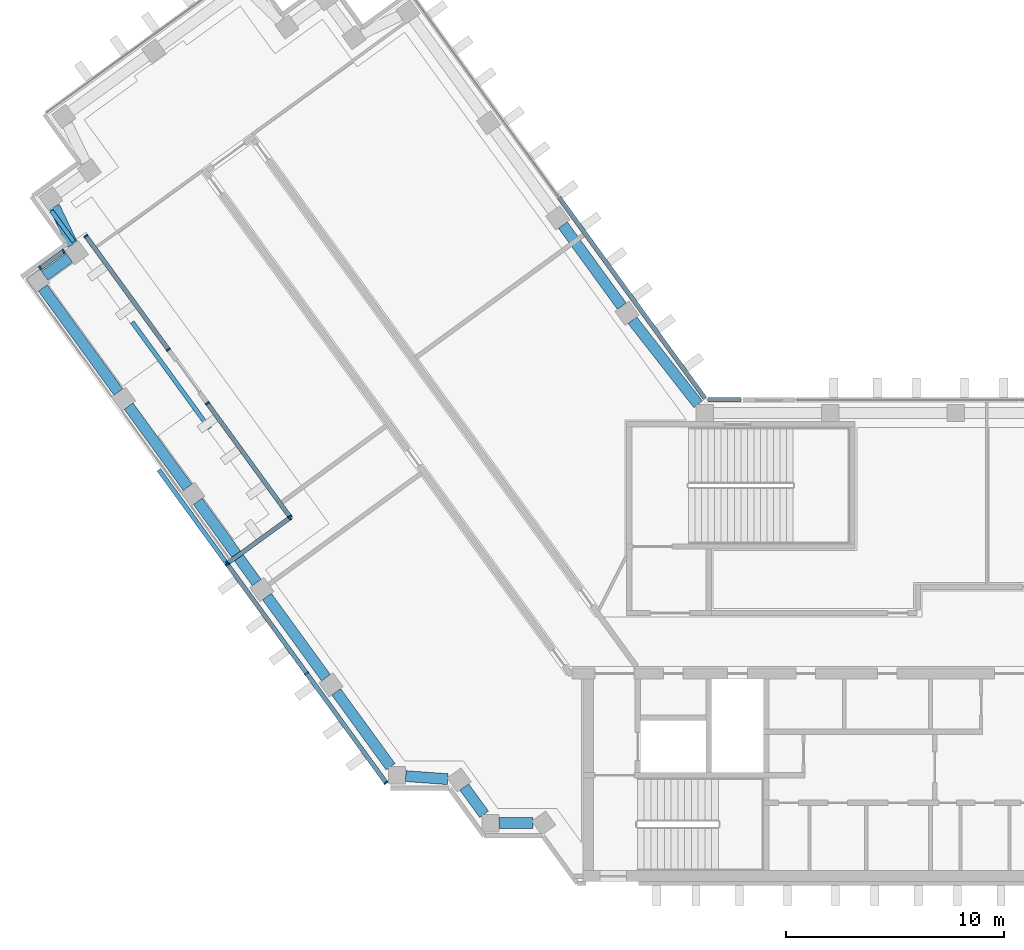
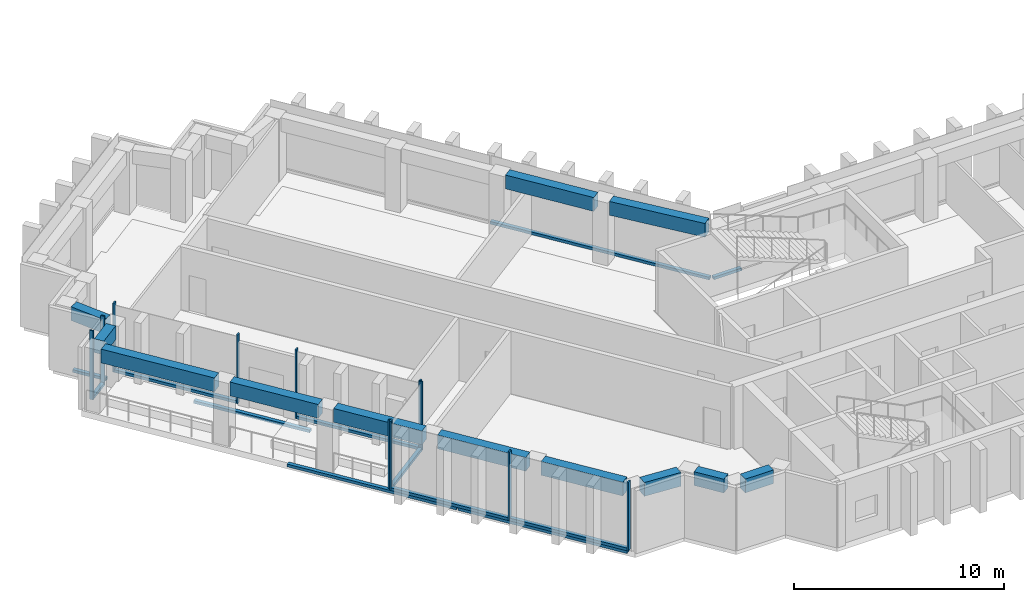
"""IFC4 building model written with IfcOpenShell, lengths in metres."""

from ifc_helpers import new_model, si_unit, direction, frame, origin, origin_2d, place, context, subcontext, project, spatial, rectangle, extrude, material, material_profile, profile_set, type_object, element, aggregate, save


model = new_model("IFC4")

# Units and contexts
model_context = context("Model", 3, precision=1e-05, world=origin(), true_north=direction((0.0, 1.0)))
body_context = subcontext(model_context, "Body", "Model", "MODEL_VIEW")
ifc_project = project(units=[si_unit("LENGTHUNIT", "METRE"), si_unit("AREAUNIT", "SQUARE_METRE"), si_unit("VOLUMEUNIT", "CUBIC_METRE"), si_unit("PLANEANGLEUNIT", "RADIAN"), si_unit("MASSUNIT", "GRAM", prefix="KILO")], contexts=[model_context])

# Site, building, storey
site_placement = place(None, origin())
site = spatial("IfcSite", under=ifc_project, at=site_placement, CompositionType="ELEMENT")
building_placement = place(site_placement, origin())
building = spatial("IfcBuilding", under=site, at=building_placement, Name="Quipu Civic Tower", CompositionType="ELEMENT")
storey_1_placement = place(building_placement, frame((0.0, 0.0, 152.0)))
storey_1 = spatial("IfcBuildingStorey", under=building, at=storey_1_placement, Name="L35", CompositionType="ELEMENT", Elevation=152.0)

# Curtain wall, members
ifc_material_1 = material(Name="Insulated glass unit", Category="glass")
curtain_wall_type = type_object("IfcCurtainWallType", Name="Office curtain wall CW1", PredefinedType="NOTDEFINED", material=ifc_material_1)
curtain_wall_1_placement = place(storey_1_placement, origin())
curtain_wall_1 = element("IfcCurtainWall", 1, at=curtain_wall_1_placement, inside=storey_1, type_object=curtain_wall_type, Name="Office curtain wall CW1 L35 run 1", PredefinedType="NOTDEFINED")
ifc_material_2 = material(Name="Anodised aluminium", Category="aluminium")
ifc_material_profile_1 = material_profile(ifc_material_2, rectangle(XDim=0.199951171875, YDim=0.080078125, at=origin_2d()), Name="RECT 200x80")
ifc_profile_set_1 = profile_set([ifc_material_profile_1], Name="Anodised aluminium")
member_type_1 = type_object("IfcMemberType", Name="Mullion CW1", PredefinedType="MULLION", material=ifc_profile_set_1)
member_1_placement = place(storey_1_placement, frame((-44.890380859375, 17.143798828125, 0.080078125), z_axis=(0.0, 0.0, 1.0), x_axis=(-0.5878531601, 0.80896765211, 0.0)))
member_1 = element("IfcMember", 2, at=member_1_placement, type_object=member_type_1, Name="CW1 mullion 1", PredefinedType="MULLION", context=body_context, shape_type="SweptSolid", body=[
    extrude(rectangle(XDim=0.199951171875, YDim=0.080078125, at=origin_2d()), origin(), (0.0, 0.0, 1.0), 4.0),
])
member_2_placement = place(storey_1_placement, frame((-43.822265625, 17.919921875, 0.080078125), z_axis=(0.0, 0.0, 1.0), x_axis=(-0.5878531601, 0.80896765211, 0.0)))
member_2 = element("IfcMember", 3, at=member_2_placement, type_object=member_type_1, Name="CW1 mullion 2", PredefinedType="MULLION", context=body_context, shape_type="SweptSolid", body=[
    extrude(rectangle(XDim=0.199951171875, YDim=0.080078125, at=origin_2d()), origin(), (0.0, 0.0, 1.0), 4.0),
])

curtain_wall_2_placement = place(storey_1_placement, origin())
curtain_wall_2 = element("IfcCurtainWall", 4, at=curtain_wall_2_placement, inside=storey_1, type_object=curtain_wall_type, Name="Office curtain wall CW1 L35 run 3", PredefinedType="NOTDEFINED")
member_3_placement = place(storey_1_placement, frame((-42.7958984375, 18.6162109375, 0.080078125), z_axis=(0.0, 0.0, 1.0), x_axis=(0.8090179163, 0.587783983369, 0.0)))
member_3 = element("IfcMember", 5, at=member_3_placement, type_object=member_type_1, Name="CW1 mullion 1", PredefinedType="MULLION", context=body_context, shape_type="SweptSolid", body=[
    extrude(rectangle(XDim=0.199951171875, YDim=0.080078125, at=origin_2d()), origin(), (0.0, 0.0, 1.0), 4.0),
])
member_4_placement = place(storey_1_placement, frame((-39.01123046875, 13.406982421875, 0.080078125), z_axis=(0.0, 0.0, 1.0), x_axis=(0.8090179163, 0.587783983369, 0.0)))
member_4 = element("IfcMember", 6, at=member_4_placement, type_object=member_type_1, Name="CW1 mullion 2", PredefinedType="MULLION", context=body_context, shape_type="SweptSolid", body=[
    extrude(rectangle(XDim=0.199951171875, YDim=0.080078125, at=origin_2d()), origin(), (0.0, 0.0, 1.0), 4.0),
])

curtain_wall_3_placement = place(storey_1_placement, origin())
curtain_wall_3 = element("IfcCurtainWall", 7, at=curtain_wall_3_placement, inside=storey_1, type_object=curtain_wall_type, Name="Office curtain wall CW1 L35 run 5", PredefinedType="NOTDEFINED")
member_5_placement = place(storey_1_placement, frame((-37.22265625, 10.9453125, 0.080078125), z_axis=(0.0, 0.0, 1.0), x_axis=(0.809022590928, 0.587777549221, 0.0)))
member_5 = element("IfcMember", 8, at=member_5_placement, type_object=member_type_1, Name="CW1 mullion 1", PredefinedType="MULLION", context=body_context, shape_type="SweptSolid", body=[
    extrude(rectangle(XDim=0.199951171875, YDim=0.080078125, at=origin_2d()), origin(), (0.0, 0.0, 1.0), 4.0),
])
member_6_placement = place(storey_1_placement, frame((-33.4384765625, 5.736572265625, 0.080078125), z_axis=(0.0, 0.0, 1.0), x_axis=(0.809022590928, 0.587777549221, 0.0)))
member_6 = element("IfcMember", 9, at=member_6_placement, type_object=member_type_1, Name="CW1 mullion 2", PredefinedType="MULLION", context=body_context, shape_type="SweptSolid", body=[
    extrude(rectangle(XDim=0.199951171875, YDim=0.080078125, at=origin_2d()), origin(), (0.0, 0.0, 1.0), 4.0),
])

curtain_wall_4_placement = place(storey_1_placement, origin())
curtain_wall_4 = element("IfcCurtainWall", 10, at=curtain_wall_4_placement, inside=storey_1, type_object=curtain_wall_type, Name="Office curtain wall CW1 L35 run 6", PredefinedType="NOTDEFINED")
member_7_placement = place(storey_1_placement, frame((-33.447265625, 5.680908203125, 0.080078125), z_axis=(0.0, 0.0, 1.0), x_axis=(0.587788441518, -0.809014677257, 0.0)))
member_7 = element("IfcMember", 11, at=member_7_placement, type_object=member_type_1, Name="CW1 mullion 1", PredefinedType="MULLION", context=body_context, shape_type="SweptSolid", body=[
    extrude(rectangle(XDim=0.199951171875, YDim=0.080078125, at=origin_2d()), origin(), (0.0, 0.0, 1.0), 4.0),
])
member_8_placement = place(storey_1_placement, frame((-36.294921875, 3.61181640625, 0.080078125), z_axis=(0.0, 0.0, 1.0), x_axis=(0.587788441518, -0.809014677257, 0.0)))
member_8 = element("IfcMember", 12, at=member_8_placement, type_object=member_type_1, Name="CW1 mullion 2", PredefinedType="MULLION", context=body_context, shape_type="SweptSolid", body=[
    extrude(rectangle(XDim=0.199951171875, YDim=0.080078125, at=origin_2d()), origin(), (0.0, 0.0, 1.0), 4.0),
])

curtain_wall_5_placement = place(storey_1_placement, origin())
curtain_wall_5 = element("IfcCurtainWall", 13, at=curtain_wall_5_placement, inside=storey_1, type_object=curtain_wall_type, Name="Office curtain wall CW1 L35 run 7", PredefinedType="NOTDEFINED")
member_9_placement = place(storey_1_placement, frame((-36.303955078125, 3.555908203125, 0.080078125), z_axis=(0.0, 0.0, 1.0), x_axis=(0.809017542707, 0.587784497578, 0.0)))
member_9 = element("IfcMember", 14, at=member_9_placement, type_object=member_type_1, Name="CW1 mullion 1", PredefinedType="MULLION", context=body_context, shape_type="SweptSolid", body=[
    extrude(rectangle(XDim=0.199951171875, YDim=0.080078125, at=origin_2d()), origin(), (0.0, 0.0, 1.0), 4.0),
])
member_10_placement = place(storey_1_placement, frame((-32.666748046875, -1.4501953125, 0.080078125), z_axis=(0.0, 0.0, 1.0), x_axis=(0.809017542707, 0.587784497578, 0.0)))
member_10 = element("IfcMember", 15, at=member_10_placement, type_object=member_type_1, Name="CW1 mullion 2", PredefinedType="MULLION", context=body_context, shape_type="SweptSolid", body=[
    extrude(rectangle(XDim=0.199951171875, YDim=0.080078125, at=origin_2d()), origin(), (0.0, 0.0, 1.0), 4.0),
])
member_11_placement = place(storey_1_placement, frame((-29.029296875, -6.45654296875, 0.080078125), z_axis=(0.0, 0.0, 1.0), x_axis=(0.809017542707, 0.587784497578, 0.0)))
member_11 = element("IfcMember", 16, at=member_11_placement, type_object=member_type_1, Name="CW1 mullion 3", PredefinedType="MULLION", context=body_context, shape_type="SweptSolid", body=[
    extrude(rectangle(XDim=0.199951171875, YDim=0.080078125, at=origin_2d()), origin(), (0.0, 0.0, 1.0), 4.0),
])

# Beams
ifc_material_3 = material(Name="Concrete C50/60", Category="concrete")
ifc_material_profile_2 = material_profile(ifc_material_3, rectangle(XDim=0.5, YDim=0.800048828125, at=origin_2d()), Name="RC500x800")
ifc_profile_set_2 = profile_set([ifc_material_profile_2], Name="Concrete C50/60")
beam_type = type_object("IfcBeamType", Name="Spandrel beam RC 500x800 C50/60", PredefinedType="SPANDREL", material=ifc_profile_set_2)
beam_1_placement = place(storey_1_placement, frame((-18.208740234375, 15.398681640625, 3.25), z_axis=(-0.58776136044, 0.809034352283, 0.0), x_axis=(-0.809034352283, -0.58776136044, 0.0)))
element("IfcBeam", 17, at=beam_1_placement, inside=storey_1, type_object=beam_type, Name="Spandrel beam L35 W-IN-01 to W-IN-02", PredefinedType="SPANDREL", context=body_context, shape_type="SweptSolid", body=[
    extrude(rectangle(XDim=0.5, YDim=0.800048828125, at=origin_2d()), origin(), (0.0, 0.0, 1.0), 4.599853515625),
])
beam_2_placement = place(storey_1_placement, frame((-44.23974609375, 19.9677734375, 3.25), z_axis=(0.430785642718, -0.902454281406, 0.0), x_axis=(0.902454281406, 0.430785642718, 0.0)))
element("IfcBeam", 18, at=beam_2_placement, inside=storey_1, type_object=beam_type, Name="Spandrel beam L35 T-Wo.2-W34 to T-Wo.3-W34", PredefinedType="SPANDREL", context=body_context, shape_type="SweptSolid", body=[
    extrude(rectangle(XDim=0.5, YDim=0.800048828125, at=origin_2d()), origin(), (0.0, 0.0, 1.0), 1.934814453125),
])
beam_3_placement = place(storey_1_placement, frame((-43.554443359375, 17.619140625, 3.25), z_axis=(-0.808600329101, -0.588358315805, 0.0), x_axis=(0.588358315805, -0.808600329101, 0.0)))
element("IfcBeam", 19, at=beam_3_placement, inside=storey_1, type_object=beam_type, Name="Spandrel beam L35 T-Wo.3-W34 to T-Wo.4-W34", PredefinedType="SPANDREL", context=body_context, shape_type="SweptSolid", body=[
    extrude(rectangle(XDim=0.5, YDim=0.800048828125, at=origin_2d()), origin(), (0.0, 0.0, 1.0), 1.400146484375),
])
beam_4_placement = place(storey_1_placement, frame((-44.77490234375, 16.236328125, 3.25), z_axis=(0.58780026889, -0.809006083965, 0.0), x_axis=(0.809006083965, 0.58780026889, 0.0)))
element("IfcBeam", 20, at=beam_4_placement, inside=storey_1, type_object=beam_type, Name="Spandrel beam L35 T-Wo.4-W34 to W-OUT-04", PredefinedType="SPANDREL", context=body_context, shape_type="SweptSolid", body=[
    extrude(rectangle(XDim=0.5, YDim=0.800048828125, at=origin_2d()), origin(), (0.0, 0.0, 1.0), 5.902587890625),
])
beam_5_placement = place(storey_1_placement, frame((-40.835205078125, 10.81396484375, 3.25), z_axis=(0.587770861189, -0.809027449928, 0.0), x_axis=(0.809027449928, 0.587770861189, 0.0)))
element("IfcBeam", 21, at=beam_5_placement, inside=storey_1, type_object=beam_type, Name="Spandrel beam L35 W-OUT-04 to W-OUT-03", PredefinedType="SPANDREL", context=body_context, shape_type="SweptSolid", body=[
    extrude(rectangle(XDim=0.5, YDim=0.800048828125, at=origin_2d()), origin(), (0.0, 0.0, 1.0), 4.60009765625),
])
beam_6_placement = place(storey_1_placement, frame((-37.6611328125, 6.445068359375, 3.25), z_axis=(0.58776136044, -0.809034352283, 0.0), x_axis=(0.809034352283, 0.58776136044, 0.0)))
element("IfcBeam", 22, at=beam_6_placement, inside=storey_1, type_object=beam_type, Name="Spandrel beam L35 W-OUT-03 to W-OUT-02", PredefinedType="SPANDREL", context=body_context, shape_type="SweptSolid", body=[
    extrude(rectangle(XDim=0.5, YDim=0.800048828125, at=origin_2d()), origin(), (0.0, 0.0, 1.0), 4.599853515625),
])
beam_7_placement = place(storey_1_placement, frame((-34.4873046875, 2.076416015625, 3.25), z_axis=(0.587796098864, -0.809009113768, 0.0), x_axis=(0.809009113768, 0.587796098864, 0.0)))
element("IfcBeam", 23, at=beam_7_placement, inside=storey_1, type_object=beam_type, Name="Spandrel beam L35 W-OUT-02 to W-OUT-01", PredefinedType="SPANDREL", context=body_context, shape_type="SweptSolid", body=[
    extrude(rectangle(XDim=0.5, YDim=0.800048828125, at=origin_2d()), origin(), (0.0, 0.0, 1.0), 4.60009765625),
])
beam_8_placement = place(storey_1_placement, frame((-31.313232421875, -2.292236328125, 3.25), z_axis=(0.58776850526, -0.809029161541, 0.0), x_axis=(0.809029161541, 0.58776850526, 0.0)))
element("IfcBeam", 24, at=beam_8_placement, inside=storey_1, type_object=beam_type, Name="Spandrel beam L35 W-OUT-01 to J-Wo.0", PredefinedType="SPANDREL", context=body_context, shape_type="SweptSolid", body=[
    extrude(rectangle(XDim=0.5, YDim=0.800048828125, at=origin_2d()), origin(), (0.0, 0.0, 1.0), 4.249267578125),
])
beam_9_placement = place(storey_1_placement, frame((-28.125, -6.158935546875, 3.25), z_axis=(0.997370796499, -0.072467194581, 0.0), x_axis=(0.072467194581, 0.997370796499, 0.0)))
element("IfcBeam", 25, at=beam_9_placement, inside=storey_1, type_object=beam_type, Name="Spandrel beam L35 J-Wo.0 to J-Wo.1", PredefinedType="SPANDREL", context=body_context, shape_type="SweptSolid", body=[
    extrude(rectangle(XDim=0.5, YDim=0.800048828125, at=origin_2d()), origin(), (0.0, 0.0, 1.0), 1.933837890625),
])
beam_10_placement = place(storey_1_placement, frame((-25.43896484375, -6.660400390625, 3.25), z_axis=(0.588330737135, -0.808620395329, 0.0), x_axis=(0.808620395329, 0.588330737135, 0.0)))
element("IfcBeam", 26, at=beam_10_placement, inside=storey_1, type_object=beam_type, Name="Spandrel beam L35 J-Wo.1 to J-Wo.2", PredefinedType="SPANDREL", context=body_context, shape_type="SweptSolid", body=[
    extrude(rectangle(XDim=0.5, YDim=0.800048828125, at=origin_2d()), origin(), (0.0, 0.0, 1.0), 1.551513671875),
])
beam_11_placement = place(storey_1_placement, frame((-23.8349609375, -8.31494140625, 3.25), z_axis=(1.0, 0.0, 0.0), x_axis=(0.0, 1.0, 0.0)))
element("IfcBeam", 27, at=beam_11_placement, inside=storey_1, type_object=beam_type, Name="Spandrel beam L35 J-Wo.2 to J-Wo.3", PredefinedType="SPANDREL", context=body_context, shape_type="SweptSolid", body=[
    extrude(rectangle(XDim=0.5, YDim=0.800048828125, at=origin_2d()), origin(), (0.0, 0.0, 1.0), 1.548828125),
])
beam_12_placement = place(storey_1_placement, frame((-14.7080078125, 10.89990234375, 3.25), z_axis=(-0.616090612932, 0.787675286306, 0.0), x_axis=(-0.787675286306, -0.616090612932, 0.0)))
element("IfcBeam", 28, at=beam_12_placement, inside=storey_1, type_object=beam_type, Name="Spandrel beam L35 J-Wi.0 to W-IN-01", PredefinedType="SPANDREL", context=body_context, shape_type="SweptSolid", body=[
    extrude(rectangle(XDim=0.5, YDim=0.800048828125, at=origin_2d()), origin(), (0.0, 0.0, 1.0), 4.900390625),
])

# Storey
storey_2_placement = place(building_placement, frame((0.0, 0.0, 148.0)))
storey_2 = spatial("IfcBuildingStorey", under=building, at=storey_2_placement, Name="L34", CompositionType="ELEMENT", Elevation=148.0)

# Curtain wall, member
curtain_wall_6_placement = place(storey_2_placement, origin())
curtain_wall_6 = element("IfcCurtainWall", 29, at=curtain_wall_6_placement, inside=storey_2, type_object=curtain_wall_type, Name="Office curtain wall CW1 L34 run 2", PredefinedType="NOTDEFINED")
ifc_material_4 = material(Name="Anodised aluminium", Category="aluminium")
ifc_material_profile_3 = material_profile(ifc_material_4, rectangle(XDim=0.199951171875, YDim=0.159912109375, at=origin_2d()), Name="RECT 200x160")
ifc_profile_set_3 = profile_set([ifc_material_profile_3], Name="Anodised aluminium")
member_type_2 = type_object("IfcMemberType", Name="Transom CW1", PredefinedType="USERDEFINED", material=ifc_profile_set_3)
member_12_placement = place(storey_1_placement, frame((-44.3759765625, 19.77001953125, 0.0), z_axis=(0.587713443149, -0.809069161903, 0.0), x_axis=(0.809069161903, 0.587713443149, 0.0)))
member_12 = element("IfcMember", 30, at=member_12_placement, inside=storey_1, type_object=member_type_2, Name="CW1 transom 1.2", ObjectType="TRANSOM", PredefinedType="USERDEFINED", context=body_context, shape_type="SweptSolid", body=[
    extrude(rectangle(XDim=0.199951171875, YDim=0.159912109375, at=origin_2d()), origin(), (0.0, 0.0, 1.0), 1.74267578125),
])
aggregate(curtain_wall_6, [member_12])

curtain_wall_7_placement = place(storey_2_placement, origin())
curtain_wall_7 = element("IfcCurtainWall", 31, at=curtain_wall_7_placement, inside=storey_2, type_object=curtain_wall_type, Name="Office curtain wall CW1 L34 run 5", PredefinedType="NOTDEFINED")
member_13_placement = place(storey_1_placement, frame((-40.671875, 14.671875, 0.0), z_axis=(0.587779914498, -0.809020872482, 0.0), x_axis=(0.809020872482, 0.587779914498, 0.0)))
member_13 = element("IfcMember", 32, at=member_13_placement, inside=storey_1, type_object=member_type_2, Name="CW1 transom 1.2", ObjectType="TRANSOM", PredefinedType="USERDEFINED", context=body_context, shape_type="SweptSolid", body=[
    extrude(rectangle(XDim=0.199951171875, YDim=0.159912109375, at=origin_2d()), origin(), (0.0, 0.0, 1.0), 6.04052734375),
])
aggregate(curtain_wall_7, [member_13])

# Curtain wall, members
curtain_wall_8_placement = place(storey_2_placement, origin())
curtain_wall_8 = element("IfcCurtainWall", 33, at=curtain_wall_8_placement, inside=storey_2, type_object=curtain_wall_type, Name="Office curtain wall CW1 L34 run 7", PredefinedType="NOTDEFINED")
member_14_placement = place(storey_1_placement, frame((-39.45458984375, 7.892333984375, 0.0), z_axis=(0.587797528178, -0.80900807528, 0.0), x_axis=(0.80900807528, 0.587797528178, 0.0)))
member_14 = element("IfcMember", 34, at=member_14_placement, inside=storey_1, type_object=member_type_2, Name="CW1 transom 1.2", ObjectType="TRANSOM", PredefinedType="USERDEFINED", context=body_context, shape_type="SweptSolid", body=[
    extrude(rectangle(XDim=0.199951171875, YDim=0.159912109375, at=origin_2d()), origin(), (0.0, 0.0, 1.0), 8.808349609375),
])
member_15_placement = place(storey_1_placement, frame((-34.230224609375, 0.70166015625, 0.0), z_axis=(0.587792567683, -0.809011679382, 0.0), x_axis=(0.809011679382, 0.587792567683, 0.0)))
member_15 = element("IfcMember", 35, at=member_15_placement, inside=storey_1, type_object=member_type_2, Name="CW1 transom 2.2", ObjectType="TRANSOM", PredefinedType="USERDEFINED", context=body_context, shape_type="SweptSolid", body=[
    extrude(rectangle(XDim=0.199951171875, YDim=0.159912109375, at=origin_2d()), origin(), (0.0, 0.0, 1.0), 8.807861328125),
])
aggregate(curtain_wall_8, [member_14, member_15])

# Curtain wall, member
curtain_wall_9_placement = place(storey_2_placement, origin())
curtain_wall_9 = element("IfcCurtainWall", 36, at=curtain_wall_9_placement, inside=storey_2, type_object=curtain_wall_type, Name="Office curtain wall CW1 L33 run 31", PredefinedType="NOTDEFINED")
member_16_placement = place(storey_1_placement, frame((-12.735107421875, 11.10009765625, 0.080078125), z_axis=(-1.0, 0.0, 0.0), x_axis=(0.0, -1.0, 0.0)))
member_16 = element("IfcMember", 37, at=member_16_placement, inside=storey_1, type_object=member_type_2, Name="CW1 transom 1.3", ObjectType="TRANSOM", PredefinedType="USERDEFINED", context=body_context, shape_type="SweptSolid", body=[
    extrude(rectangle(XDim=0.199951171875, YDim=0.159912109375, at=origin_2d()), origin(), (0.0, 0.0, 1.0), 1.529052734375),
])
aggregate(curtain_wall_9, [member_16])

curtain_wall_10_placement = place(storey_2_placement, origin())
curtain_wall_10 = element("IfcCurtainWall", 38, at=curtain_wall_10_placement, inside=storey_2, type_object=curtain_wall_type, Name="Office curtain wall CW1 L33 run 32", PredefinedType="NOTDEFINED")
member_17_placement = place(storey_1_placement, frame((-14.39111328125, 11.164794921875, 0.080078125), z_axis=(-0.587799878401, 0.809006367683, 0.0), x_axis=(-0.809006367683, -0.587799878401, 0.0)))
member_17 = element("IfcMember", 39, at=member_17_placement, inside=storey_1, type_object=member_type_2, Name="CW1 transom 1.3", ObjectType="TRANSOM", PredefinedType="USERDEFINED", context=body_context, shape_type="SweptSolid", body=[
    extrude(rectangle(XDim=0.199951171875, YDim=0.159912109375, at=origin_2d()), origin(), (0.0, 0.0, 1.0), 11.402099609375),
])
aggregate(curtain_wall_10, [member_17])

# Member
member_18_placement = place(storey_1_placement, frame((-44.85791015625, 17.16748046875, 0.159912109375), z_axis=(0.808957377838, 0.587867298667, 0.0), x_axis=(-0.587867298667, 0.808957377838, 0.0)))
member_18 = element("IfcMember", 40, at=member_18_placement, type_object=member_type_2, Name="CW1 transom 1.1", ObjectType="TRANSOM", PredefinedType="USERDEFINED", context=body_context, shape_type="SweptSolid", body=[
    extrude(rectangle(XDim=0.199951171875, YDim=0.159912109375, at=origin_2d()), origin(), (0.0, 0.0, 1.0), 1.239990234375),
])

aggregate(curtain_wall_1, [member_1, member_2, member_18])

member_19_placement = place(storey_1_placement, frame((-42.7724609375, 18.583984375, 0.159912109375), z_axis=(0.587767557609, -0.809029850019, 0.0), x_axis=(0.809029850019, 0.587767557609, 0.0)))
member_19 = element("IfcMember", 41, at=member_19_placement, type_object=member_type_2, Name="CW1 transom 1.1", ObjectType="TRANSOM", PredefinedType="USERDEFINED", context=body_context, shape_type="SweptSolid", body=[
    extrude(rectangle(XDim=0.199951171875, YDim=0.159912109375, at=origin_2d()), origin(), (0.0, 0.0, 1.0), 6.35888671875),
])

aggregate(curtain_wall_2, [member_3, member_4, member_19])

member_20_placement = place(storey_1_placement, frame((-37.19921875, 10.912841796875, 0.159912109375), z_axis=(0.587797201853, -0.809008312376, 0.0), x_axis=(0.809008312376, 0.587797201853, 0.0)))
member_20 = element("IfcMember", 42, at=member_20_placement, type_object=member_type_2, Name="CW1 transom 1.1", ObjectType="TRANSOM", PredefinedType="USERDEFINED", context=body_context, shape_type="SweptSolid", body=[
    extrude(rectangle(XDim=0.199951171875, YDim=0.159912109375, at=origin_2d()), origin(), (0.0, 0.0, 1.0), 6.358154296875),
])

aggregate(curtain_wall_3, [member_5, member_6, member_20])

member_21_placement = place(storey_1_placement, frame((-33.479736328125, 5.6572265625, 0.159912109375), z_axis=(-0.809012211288, -0.58779183559, 0.0), x_axis=(0.58779183559, -0.809012211288, 0.0)))
member_21 = element("IfcMember", 43, at=member_21_placement, type_object=member_type_2, Name="CW1 transom 1.1", ObjectType="TRANSOM", PredefinedType="USERDEFINED", context=body_context, shape_type="SweptSolid", body=[
    extrude(rectangle(XDim=0.199951171875, YDim=0.159912109375, at=origin_2d()), origin(), (0.0, 0.0, 1.0), 3.43994140625),
])

aggregate(curtain_wall_4, [member_7, member_8, member_21])

member_22_placement = place(storey_1_placement, frame((-36.2802734375, 3.523681640625, 0.159912109375), z_axis=(0.587760469668, -0.809034999426, 0.0), x_axis=(0.809034999426, 0.587760469668, 0.0)))
member_22 = element("IfcMember", 44, at=member_22_placement, type_object=member_type_2, Name="CW1 transom 1.1", ObjectType="TRANSOM", PredefinedType="USERDEFINED", context=body_context, shape_type="SweptSolid", body=[
    extrude(rectangle(XDim=0.199951171875, YDim=0.159912109375, at=origin_2d()), origin(), (0.0, 0.0, 1.0), 6.108154296875),
])

member_23_placement = place(storey_1_placement, frame((-32.64306640625, -1.482666015625, 0.159912109375), z_axis=(0.587779476659, -0.809021190587, 0.0), x_axis=(0.809021190587, 0.587779476659, 0.0)))
member_23 = element("IfcMember", 45, at=member_23_placement, type_object=member_type_2, Name="CW1 transom 2.1", ObjectType="TRANSOM", PredefinedType="USERDEFINED", context=body_context, shape_type="SweptSolid", body=[
    extrude(rectangle(XDim=0.199951171875, YDim=0.159912109375, at=origin_2d()), origin(), (0.0, 0.0, 1.0), 6.10791015625),
])

aggregate(curtain_wall_5, [member_9, member_10, member_11, member_22, member_23])

save(model, "model.ifc")
